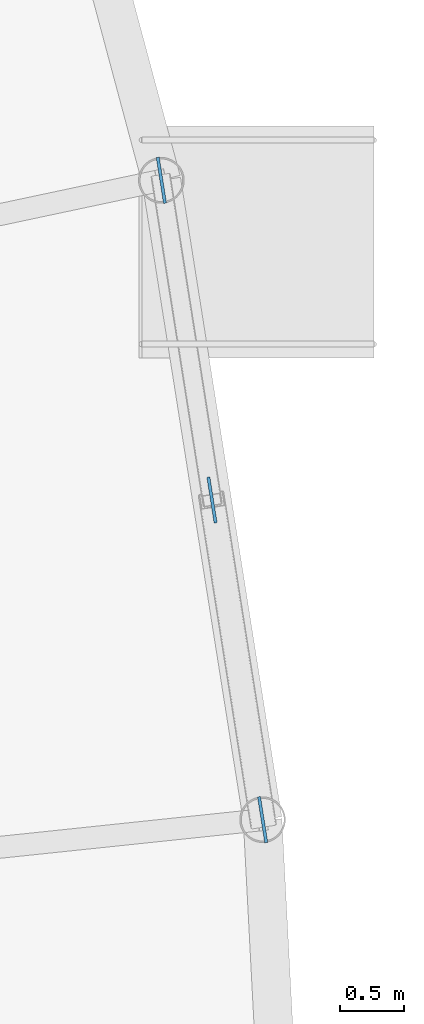
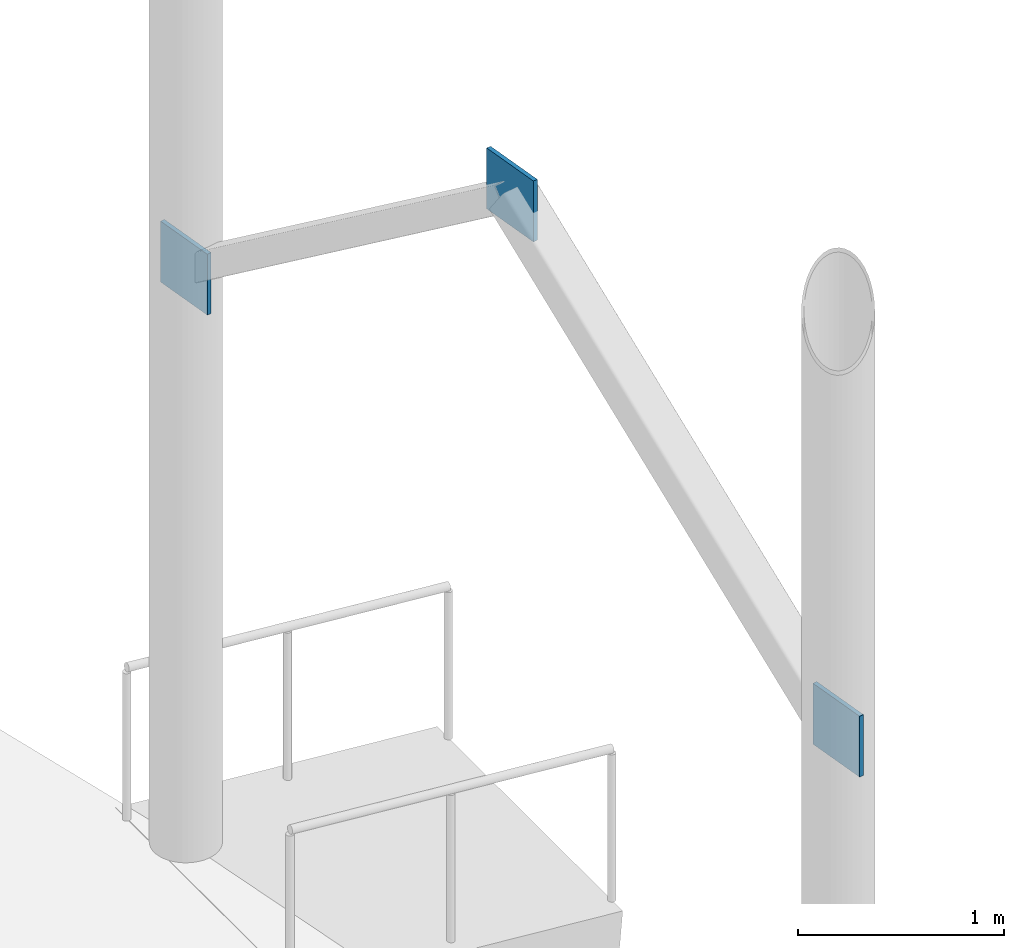
# One storey, part 119 of 158: 3 plates.
"""IFC4 building model written with IfcOpenShell, lengths in metres."""

from ifc_helpers import new_model, si_unit, derived_unit, direction, frame, origin, origin_2d, place, context, subcontext, project, spatial, rectangle, extrude, material, layer, layer_set, type_object, element, save


model = new_model("IFC4")

# Units and contexts
model_context = context("Model", 3, precision=1e-05, world=origin(), true_north=direction((0.0, 1.0)))
body_context = subcontext(model_context, "Body", "Model", "MODEL_VIEW")
ifc_project = project(units=[si_unit("LENGTHUNIT", "METRE"), si_unit("AREAUNIT", "SQUARE_METRE"), si_unit("VOLUMEUNIT", "CUBIC_METRE"), si_unit("PLANEANGLEUNIT", "RADIAN"), si_unit("MASSUNIT", "GRAM", prefix="KILO"), si_unit("THERMODYNAMICTEMPERATUREUNIT", "KELVIN"), si_unit("TIMEUNIT", "SECOND"), derived_unit("THERMALTRANSMITTANCEUNIT", [(si_unit("MASSUNIT", "GRAM", prefix="KILO"), 1), (si_unit("THERMODYNAMICTEMPERATUREUNIT", "KELVIN"), -1), (si_unit("TIMEUNIT", "SECOND"), -3)])], contexts=[model_context])

# Site, building, storey
site_placement = place(None, origin())
site = spatial("IfcSite", under=ifc_project, at=site_placement, CompositionType="ELEMENT")
building_placement = place(site_placement, origin())
building = spatial("IfcBuilding", under=site, at=building_placement, Name="Cambertide Market Hall", CompositionType="ELEMENT")
storey_placement = place(building_placement, origin())
storey = spatial("IfcBuildingStorey", under=building, at=storey_placement, Name="L01", CompositionType="ELEMENT", Elevation=0.0)

# Plates
ifc_material = material(Name="Steel S355", Category="steel")
ifc_layer = layer(ifc_material, 0.02392578125, Name="Steel End Cap Plate EC-03E")
ifc_layer_set = layer_set([ifc_layer], Name="Steel S355")
plate_type = type_object("IfcPlateType", Name="Steel End Cap Plate EC-03E", PredefinedType="USERDEFINED", material=ifc_layer_set)
for number, where, z_axis, x_axis, name in (
    (1, (191.737060546875, 71.017333984375, 3.2197265625), (0.0, 0.0, 1.0), (-0.15643446504, 0.987688340595, 0.0), "Level 1 Brace Connection End Cap Plate EC-BRN-277"),
    (2, (191.343994140625, 73.49853515625, 5.02001953125), (0.0, 0.0, 1.0), (-0.15643446504, 0.987688340595, 0.0), "Level 1 Brace Connection End Cap Plate EC-BRN-278"),
    (3, (190.951171875, 75.979736328125, 3.2197265625), (0.0, 0.0, 1.0), (0.15643446504, -0.987688340595, 0.0), "Level 1 Brace Connection End Cap Plate EC-BRN-279"),
):
    element("IfcPlate", number, at=place(storey_placement, frame(where, z_axis=z_axis, x_axis=x_axis)), inside=storey, type_object=plate_type, Name=name, ObjectType="END CAP PLATE", PredefinedType="USERDEFINED", context=body_context, shape_type="SweptSolid", body=[
        extrude(rectangle(XDim=0.360107421875, YDim=0.02392578125, at=origin_2d()), origin(), (0.0, 0.0, 1.0), 0.360107421875),
    ])

save(model, "model.ifc")
